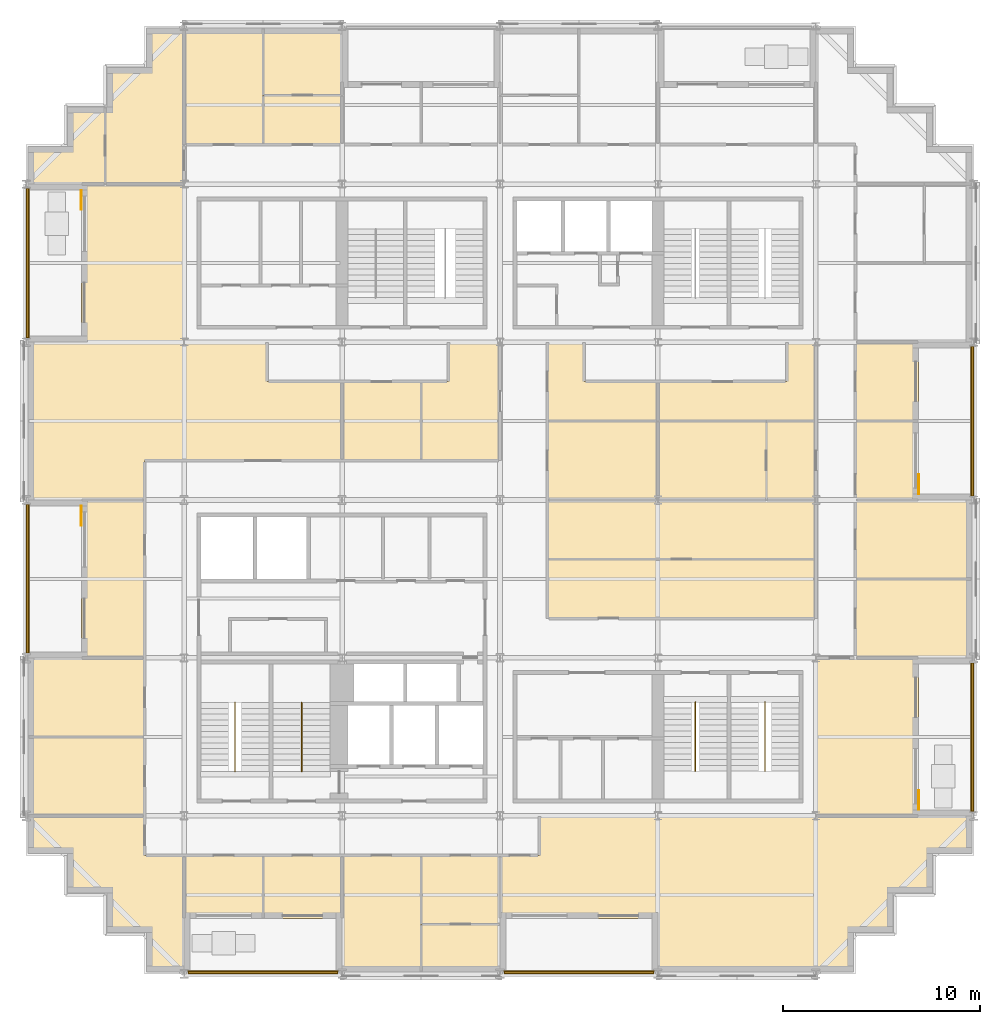
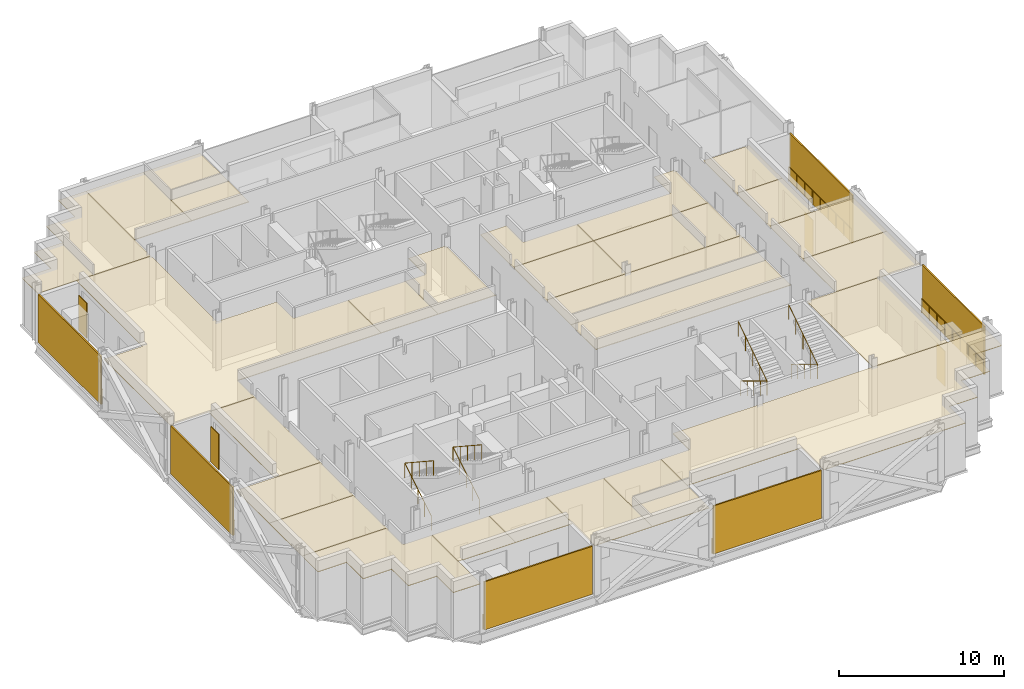
# One storey, part 13 of 15: 30 coverings, 10 railings, 10 shading devices.
"""IFC4 building model written with IfcOpenShell, lengths in metres."""

from ifc_helpers import new_model, si_unit, direction, frame, origin, origin_2d, place, context, subcontext, project, spatial, polyline, rectangle, circle, outline, extrude, material, layer, layer_set, type_object, element, save


model = new_model("IFC4")

# Units and contexts
model_context = context("Model", 3, precision=1e-05, world=origin(), true_north=direction((0.0, 1.0)))
body_context = subcontext(model_context, "Body", "Model", "MODEL_VIEW")
ifc_project = project(units=[si_unit("LENGTHUNIT", "METRE"), si_unit("AREAUNIT", "SQUARE_METRE"), si_unit("VOLUMEUNIT", "CUBIC_METRE"), si_unit("PLANEANGLEUNIT", "RADIAN"), si_unit("MASSUNIT", "GRAM", prefix="KILO")], contexts=[model_context])

# Site, building, storey
site_placement = place(None, origin())
site = spatial("IfcSite", under=ifc_project, at=site_placement, CompositionType="ELEMENT")
building_placement = place(site_placement, origin())
building = spatial("IfcBuilding", under=site, at=building_placement, Name="Immortelle Media Tower", CompositionType="ELEMENT")
storey_placement = place(building_placement, frame((0.0, 0.0, 65.60009765625)))
storey = spatial("IfcBuildingStorey", under=building, at=storey_placement, Name="L11", CompositionType="ELEMENT", Elevation=65.60009765625)

# Railings
ifc_material_1 = material(Name="Powder-coated aluminium fretwork panel, laminated glass backing", Category="aluminium")
railing_type_1 = type_object("IfcRailingType", Name="Fretwork balustrade 1100", PredefinedType="BALUSTRADE", material=ifc_material_1)
railing_1_placement = place(storey_placement, frame((0.139892578125, 39.800537109375, 0.0)))
element("IfcRailing", 1, at=railing_1_placement, inside=storey, type_object=railing_type_1, Name="Fretwork balustrade L11 W0", PredefinedType="BALUSTRADE", context=body_context, shape_type="SweptSolid", body=[
    extrude(circle(Radius=0.02490234375, at=origin_2d()), frame((0.0, 0.0, 1.0751953125), z_axis=(0.0, -1.0, 0.0), x_axis=(1.0, 0.0, 0.0)), (0.0, 0.0, 1.0), 7.58349609375),
    extrude(circle(Radius=0.02001953125, at=origin_2d()), origin(), (0.0, 0.0, 1.0), 1.050048828125),
    extrude(circle(Radius=0.02001953125, at=origin_2d()), frame((0.0, -0.947998046875, 0.0)), (0.0, 0.0, 1.0), 1.050048828125),
    extrude(circle(Radius=0.02001953125, at=origin_2d()), frame((0.0, -1.89599609375, 0.0)), (0.0, 0.0, 1.0), 1.050048828125),
    extrude(circle(Radius=0.02001953125, at=origin_2d()), frame((0.0, -2.84375, 0.0)), (0.0, 0.0, 1.0), 1.050048828125),
    extrude(circle(Radius=0.02001953125, at=origin_2d()), frame((0.0, -3.791748046875, 0.0)), (0.0, 0.0, 1.0), 1.050048828125),
    extrude(circle(Radius=0.02001953125, at=origin_2d()), frame((0.0, -4.73974609375, 0.0)), (0.0, 0.0, 1.0), 1.050048828125),
    extrude(circle(Radius=0.02001953125, at=origin_2d()), frame((0.0, -5.6875, 0.0)), (0.0, 0.0, 1.0), 1.050048828125),
    extrude(circle(Radius=0.02001953125, at=origin_2d()), frame((0.0, -6.635498046875, 0.0)), (0.0, 0.0, 1.0), 1.050048828125),
    extrude(circle(Radius=0.02001953125, at=origin_2d()), frame((0.0, -7.58349609375, 0.0)), (0.0, 0.0, 1.0), 1.050048828125),
])
railing_2_placement = place(storey_placement, frame((0.139892578125, 23.782958984375, 0.0)))
element("IfcRailing", 2, at=railing_2_placement, inside=storey, type_object=railing_type_1, Name="Fretwork balustrade L11 W2", PredefinedType="BALUSTRADE", context=body_context, shape_type="SweptSolid", body=[
    extrude(circle(Radius=0.02490234375, at=origin_2d()), frame((0.0, 0.0, 1.0751953125), z_axis=(0.0, -1.0, 0.0), x_axis=(1.0, 0.0, 0.0)), (0.0, 0.0, 1.0), 7.533935546875),
    extrude(circle(Radius=0.02001953125, at=origin_2d()), origin(), (0.0, 0.0, 1.0), 1.050048828125),
    extrude(circle(Radius=0.02001953125, at=origin_2d()), frame((0.0, -0.941650390625, 0.0)), (0.0, 0.0, 1.0), 1.050048828125),
    extrude(circle(Radius=0.02001953125, at=origin_2d()), frame((0.0, -1.883544921875, 0.0)), (0.0, 0.0, 1.0), 1.050048828125),
    extrude(circle(Radius=0.02001953125, at=origin_2d()), frame((0.0, -2.8251953125, 0.0)), (0.0, 0.0, 1.0), 1.050048828125),
    extrude(circle(Radius=0.02001953125, at=origin_2d()), frame((0.0, -3.76708984375, 0.0)), (0.0, 0.0, 1.0), 1.050048828125),
    extrude(circle(Radius=0.02001953125, at=origin_2d()), frame((0.0, -4.708740234375, 0.0)), (0.0, 0.0, 1.0), 1.050048828125),
    extrude(circle(Radius=0.02001953125, at=origin_2d()), frame((0.0, -5.650390625, 0.0)), (0.0, 0.0, 1.0), 1.050048828125),
    extrude(circle(Radius=0.02001953125, at=origin_2d()), frame((0.0, -6.59228515625, 0.0)), (0.0, 0.0, 1.0), 1.050048828125),
    extrude(circle(Radius=0.02001953125, at=origin_2d()), frame((0.0, -7.533935546875, 0.0)), (0.0, 0.0, 1.0), 1.050048828125),
])
railing_3_placement = place(storey_placement, frame((8.20947265625, 0.139892578125, 0.0)))
element("IfcRailing", 3, at=railing_3_placement, inside=storey, type_object=railing_type_1, Name="Fretwork balustrade L11 S0", PredefinedType="BALUSTRADE", context=body_context, shape_type="SweptSolid", body=[
    extrude(circle(Radius=0.02490234375, at=origin_2d()), frame((0.0, 0.0, 1.0751953125), z_axis=(1.0, 0.0, 0.0), x_axis=(0.0, 1.0, 0.0)), (0.0, 0.0, 1.0), 7.574462890625),
    extrude(circle(Radius=0.02001953125, at=origin_2d()), origin(), (0.0, 0.0, 1.0), 1.050048828125),
    extrude(circle(Radius=0.02001953125, at=origin_2d()), frame((0.94677734375, 0.0, 0.0)), (0.0, 0.0, 1.0), 1.050048828125),
    extrude(circle(Radius=0.02001953125, at=origin_2d()), frame((1.8935546875, 0.0, 0.0)), (0.0, 0.0, 1.0), 1.050048828125),
    extrude(circle(Radius=0.02001953125, at=origin_2d()), frame((2.84033203125, 0.0, 0.0)), (0.0, 0.0, 1.0), 1.050048828125),
    extrude(circle(Radius=0.02001953125, at=origin_2d()), frame((3.787109375, 0.0, 0.0)), (0.0, 0.0, 1.0), 1.050048828125),
    extrude(circle(Radius=0.02001953125, at=origin_2d()), frame((4.734130859375, 0.0, 0.0)), (0.0, 0.0, 1.0), 1.050048828125),
    extrude(circle(Radius=0.02001953125, at=origin_2d()), frame((5.680908203125, 0.0, 0.0)), (0.0, 0.0, 1.0), 1.050048828125),
    extrude(circle(Radius=0.02001953125, at=origin_2d()), frame((6.627685546875, 0.0, 0.0)), (0.0, 0.0, 1.0), 1.050048828125),
    extrude(circle(Radius=0.02001953125, at=origin_2d()), frame((7.574462890625, 0.0, 0.0)), (0.0, 0.0, 1.0), 1.050048828125),
])
railing_4_placement = place(storey_placement, frame((24.216064453125, 0.139892578125, 0.0)))
element("IfcRailing", 4, at=railing_4_placement, inside=storey, type_object=railing_type_1, Name="Fretwork balustrade L11 S2", PredefinedType="BALUSTRADE", context=body_context, shape_type="SweptSolid", body=[
    extrude(circle(Radius=0.02490234375, at=origin_2d()), frame((0.0, 0.0, 1.0751953125), z_axis=(1.0, 0.0, 0.0), x_axis=(0.0, 1.0, 0.0)), (0.0, 0.0, 1.0), 7.56787109375),
    extrude(circle(Radius=0.02001953125, at=origin_2d()), origin(), (0.0, 0.0, 1.0), 1.050048828125),
    extrude(circle(Radius=0.02001953125, at=origin_2d()), frame((0.946044921875, 0.0, 0.0)), (0.0, 0.0, 1.0), 1.050048828125),
    extrude(circle(Radius=0.02001953125, at=origin_2d()), frame((1.89208984375, 0.0, 0.0)), (0.0, 0.0, 1.0), 1.050048828125),
    extrude(circle(Radius=0.02001953125, at=origin_2d()), frame((2.837890625, 0.0, 0.0)), (0.0, 0.0, 1.0), 1.050048828125),
    extrude(circle(Radius=0.02001953125, at=origin_2d()), frame((3.783935546875, 0.0, 0.0)), (0.0, 0.0, 1.0), 1.050048828125),
    extrude(circle(Radius=0.02001953125, at=origin_2d()), frame((4.72998046875, 0.0, 0.0)), (0.0, 0.0, 1.0), 1.050048828125),
    extrude(circle(Radius=0.02001953125, at=origin_2d()), frame((5.67578125, 0.0, 0.0)), (0.0, 0.0, 1.0), 1.050048828125),
    extrude(circle(Radius=0.02001953125, at=origin_2d()), frame((6.621826171875, 0.0, 0.0)), (0.0, 0.0, 1.0), 1.050048828125),
    extrude(circle(Radius=0.02001953125, at=origin_2d()), frame((7.56787109375, 0.0, 0.0)), (0.0, 0.0, 1.0), 1.050048828125),
])
railing_5_placement = place(storey_placement, frame((47.860107421875, 8.2275390625, 0.0)))
element("IfcRailing", 5, at=railing_5_placement, inside=storey, type_object=railing_type_1, Name="Fretwork balustrade L11 E0", PredefinedType="BALUSTRADE", context=body_context, shape_type="SweptSolid", body=[
    extrude(circle(Radius=0.02490234375, at=origin_2d()), frame((0.0, 0.0, 1.0751953125), z_axis=(0.0, 1.0, 0.0), x_axis=(-1.0, 0.0, 0.0)), (0.0, 0.0, 1.0), 7.5234375),
    extrude(circle(Radius=0.02001953125, at=origin_2d()), origin(), (0.0, 0.0, 1.0), 1.050048828125),
    extrude(circle(Radius=0.02001953125, at=origin_2d()), frame((0.0, 0.9404296875, 0.0)), (0.0, 0.0, 1.0), 1.050048828125),
    extrude(circle(Radius=0.02001953125, at=origin_2d()), frame((0.0, 1.880859375, 0.0)), (0.0, 0.0, 1.0), 1.050048828125),
    extrude(circle(Radius=0.02001953125, at=origin_2d()), frame((0.0, 2.8212890625, 0.0)), (0.0, 0.0, 1.0), 1.050048828125),
    extrude(circle(Radius=0.02001953125, at=origin_2d()), frame((0.0, 3.76171875, 0.0)), (0.0, 0.0, 1.0), 1.050048828125),
    extrude(circle(Radius=0.02001953125, at=origin_2d()), frame((0.0, 4.7021484375, 0.0)), (0.0, 0.0, 1.0), 1.050048828125),
    extrude(circle(Radius=0.02001953125, at=origin_2d()), frame((0.0, 5.642578125, 0.0)), (0.0, 0.0, 1.0), 1.050048828125),
    extrude(circle(Radius=0.02001953125, at=origin_2d()), frame((0.0, 6.5830078125, 0.0)), (0.0, 0.0, 1.0), 1.050048828125),
    extrude(circle(Radius=0.02001953125, at=origin_2d()), frame((0.0, 7.5234375, 0.0)), (0.0, 0.0, 1.0), 1.050048828125),
])
railing_6_placement = place(storey_placement, frame((47.860107421875, 24.199462890625, 0.0)))
element("IfcRailing", 6, at=railing_6_placement, inside=storey, type_object=railing_type_1, Name="Fretwork balustrade L11 E2", PredefinedType="BALUSTRADE", context=body_context, shape_type="SweptSolid", body=[
    extrude(circle(Radius=0.02490234375, at=origin_2d()), frame((0.0, 0.0, 1.0751953125), z_axis=(0.0, 1.0, 0.0), x_axis=(-1.0, 0.0, 0.0)), (0.0, 0.0, 1.0), 7.60107421875),
    extrude(circle(Radius=0.02001953125, at=origin_2d()), origin(), (0.0, 0.0, 1.0), 1.050048828125),
    extrude(circle(Radius=0.02001953125, at=origin_2d()), frame((0.0, 0.9501953125, 0.0)), (0.0, 0.0, 1.0), 1.050048828125),
    extrude(circle(Radius=0.02001953125, at=origin_2d()), frame((0.0, 1.900390625, 0.0)), (0.0, 0.0, 1.0), 1.050048828125),
    extrude(circle(Radius=0.02001953125, at=origin_2d()), frame((0.0, 2.850341796875, 0.0)), (0.0, 0.0, 1.0), 1.050048828125),
    extrude(circle(Radius=0.02001953125, at=origin_2d()), frame((0.0, 3.800537109375, 0.0)), (0.0, 0.0, 1.0), 1.050048828125),
    extrude(circle(Radius=0.02001953125, at=origin_2d()), frame((0.0, 4.750732421875, 0.0)), (0.0, 0.0, 1.0), 1.050048828125),
    extrude(circle(Radius=0.02001953125, at=origin_2d()), frame((0.0, 5.70068359375, 0.0)), (0.0, 0.0, 1.0), 1.050048828125),
    extrude(circle(Radius=0.02001953125, at=origin_2d()), frame((0.0, 6.65087890625, 0.0)), (0.0, 0.0, 1.0), 1.050048828125),
    extrude(circle(Radius=0.02001953125, at=origin_2d()), frame((0.0, 7.60107421875, 0.0)), (0.0, 0.0, 1.0), 1.050048828125),
])

# Shading devices
ifc_material_2 = material(Name="Pale aluminium louvre blades", Category="aluminium")
ifc_layer_1 = layer(ifc_material_2, 0.10009765625)
ifc_layer_set_1 = layer_set([ifc_layer_1], Name="Pale aluminium louvre blades")
shading_device_type_1 = type_object("IfcShadingDeviceType", Name="Jalousie screen 100", PredefinedType="JALOUSIE", material=ifc_layer_set_1)
shading_device_1_placement = place(storey_placement, frame((0.050048828125, 36.0087890625, 0.0), z_axis=(0.0, 0.0, 1.0), x_axis=(0.0, -1.0, 0.0)))
element("IfcShadingDevice", 7, at=shading_device_1_placement, inside=storey, type_object=shading_device_type_1, Name="Jalousie screen L11 W0", PredefinedType="JALOUSIE", context=body_context, shape_type="SweptSolid", body=[
    extrude(rectangle(XDim=7.58349609375, YDim=0.10009765625, at=origin_2d()), origin(), (0.0, 0.0, 1.0), 3.556884765625),
])
shading_device_2_placement = place(storey_placement, frame((0.050048828125, 20.01611328125, 0.0), z_axis=(0.0, 0.0, 1.0), x_axis=(0.0, -1.0, 0.0)))
element("IfcShadingDevice", 8, at=shading_device_2_placement, inside=storey, type_object=shading_device_type_1, Name="Jalousie screen L11 W2", PredefinedType="JALOUSIE", context=body_context, shape_type="SweptSolid", body=[
    extrude(rectangle(XDim=7.533935546875, YDim=0.10009765625, at=origin_2d()), origin(), (0.0, 0.0, 1.0), 3.556884765625),
])
shading_device_3_placement = place(storey_placement, frame((11.996826171875, 0.050048828125, 0.0), z_axis=(0.0, 0.0, 1.0), x_axis=(1.0, 0.0, 0.0)))
element("IfcShadingDevice", 9, at=shading_device_3_placement, inside=storey, type_object=shading_device_type_1, Name="Jalousie screen L11 S0", PredefinedType="JALOUSIE", context=body_context, shape_type="SweptSolid", body=[
    extrude(rectangle(XDim=7.574462890625, YDim=0.10009765625, at=origin_2d()), origin(), (0.0, 0.0, 1.0), 3.556884765625),
])
shading_device_4_placement = place(storey_placement, frame((28.0, 0.050048828125, 0.0), z_axis=(0.0, 0.0, 1.0), x_axis=(1.0, 0.0, 0.0)))
element("IfcShadingDevice", 10, at=shading_device_4_placement, inside=storey, type_object=shading_device_type_1, Name="Jalousie screen L11 S2", PredefinedType="JALOUSIE", context=body_context, shape_type="SweptSolid", body=[
    extrude(rectangle(XDim=7.568115234375, YDim=0.10009765625, at=origin_2d()), origin(), (0.0, 0.0, 1.0), 3.556884765625),
])
shading_device_5_placement = place(storey_placement, frame((47.949951171875, 11.9892578125, 0.0), z_axis=(0.0, 0.0, 1.0), x_axis=(0.0, 1.0, 0.0)))
element("IfcShadingDevice", 11, at=shading_device_5_placement, inside=storey, type_object=shading_device_type_1, Name="Jalousie screen L11 E0", PredefinedType="JALOUSIE", context=body_context, shape_type="SweptSolid", body=[
    extrude(rectangle(XDim=7.5234375, YDim=0.10009765625, at=origin_2d()), origin(), (0.0, 0.0, 1.0), 3.556884765625),
])
shading_device_6_placement = place(storey_placement, frame((47.949951171875, 28.0, 0.0), z_axis=(0.0, 0.0, 1.0), x_axis=(0.0, 1.0, 0.0)))
element("IfcShadingDevice", 12, at=shading_device_6_placement, inside=storey, type_object=shading_device_type_1, Name="Jalousie screen L11 E2", PredefinedType="JALOUSIE", context=body_context, shape_type="SweptSolid", body=[
    extrude(rectangle(XDim=7.60107421875, YDim=0.10009765625, at=origin_2d()), origin(), (0.0, 0.0, 1.0), 3.556884765625),
])
ifc_material_3 = material(Name="Pale aluminium louvre blades in a folding frame", Category="aluminium")
ifc_layer_2 = layer(ifc_material_3, 0.050048828125)
ifc_layer_set_2 = layer_set([ifc_layer_2], Name="Pale aluminium louvre blades in a folding frame")
shading_device_type_2 = type_object("IfcShadingDeviceType", Name="Louvred loggia shutter", PredefinedType="SHUTTER", material=ifc_layer_set_2)
for number, where, z_axis, x_axis, name in (
    (13, (2.77490234375, 39.199951171875, -0.000244140625), (0.0, 0.0, 1.0), (0.0, -1.0, 0.0), "Loggia shutter L11 W0"),
    (14, (2.77490234375, 23.199951171875, -0.000244140625), (0.0, 0.0, 1.0), (0.0, -1.0, 0.0), "Loggia shutter L11 W2"),
    (15, (45.22509765625, 8.800048828125, -0.000244140625), (0.0, 0.0, 1.0), (0.0, 1.0, 0.0), "Loggia shutter L11 E0"),
    (16, (45.22509765625, 24.800048828125, -0.000244140625), (0.0, 0.0, 1.0), (0.0, 1.0, 0.0), "Loggia shutter L11 E2"),
):
    element("IfcShadingDevice", number, at=place(storey_placement, frame(where, z_axis=z_axis, x_axis=x_axis)), inside=storey, type_object=shading_device_type_2, Name=name, PredefinedType="SHUTTER", context=body_context, shape_type="SweptSolid", body=[
        extrude(rectangle(XDim=1.0, YDim=0.050048828125, at=origin_2d()), origin(), (0.0, 0.0, 1.0), 2.60009765625),
    ])

# Railings
ifc_material_4 = material(Name="Stainless steel AISI 316", Category="steel")
railing_type_2 = type_object("IfcRailingType", Name="Stair guard 1100", PredefinedType="GUARDRAIL", material=ifc_material_4)
for number, where, name in (
    (17, (10.574951171875, 10.5400390625, 0.17578125), "Stair guard SW1"),
    (18, (13.949951171875, 10.5400390625, 0.17578125), "Stair guard SW2"),
):
    element("IfcRailing", number, at=place(storey_placement, frame(where)), inside=storey, type_object=railing_type_2, Name=name, PredefinedType="GUARDRAIL", context=body_context, shape_type="SweptSolid", body=[
        extrude(circle(Radius=0.02392578125, at=origin_2d()), frame((0.0, 0.0, 1.076171875), z_axis=(0.0, 0.854872504309, 0.518838126371), x_axis=(-1.0, 0.0, 0.0)), (0.0, 0.0, 1.0), 3.7314453125),
        extrude(circle(Radius=0.02392578125, at=origin_2d()), frame((0.0, 3.18994140625, 3.01220703125), z_axis=(0.0, -0.835568629342, 0.549386080693), x_axis=(1.0, 0.0, 0.0)), (0.0, 0.0, 1.0), 4.164794921875),
        extrude(circle(Radius=0.02099609375, at=origin_2d()), origin(), (0.0, 0.0, 1.0), 1.052001953125),
        extrude(circle(Radius=0.02099609375, at=origin_2d()), frame((0.0, 0.79736328125, 0.48388671875)), (0.0, 0.0, 1.0), 1.052001953125),
        extrude(circle(Radius=0.02099609375, at=origin_2d()), frame((0.0, 1.594970703125, 0.968017578125)), (0.0, 0.0, 1.0), 1.052001953125),
        extrude(circle(Radius=0.02099609375, at=origin_2d()), frame((0.0, 2.392578125, 1.4521484375)), (0.0, 0.0, 1.0), 1.052001953125),
        extrude(circle(Radius=0.02099609375, at=origin_2d()), frame((0.0, 3.18994140625, 1.93603515625)), (0.0, 0.0, 1.0), 1.052001953125),
        extrude(circle(Radius=0.02099609375, at=origin_2d()), frame((0.0, 2.31982421875, 2.508056640625)), (0.0, 0.0, 1.0), 1.052001953125),
        extrude(circle(Radius=0.02099609375, at=origin_2d()), frame((0.0, 1.449951171875, 3.080078125)), (0.0, 0.0, 1.0), 1.052001953125),
        extrude(circle(Radius=0.02099609375, at=origin_2d()), frame((0.0, 0.580078125, 3.652099609375)), (0.0, 0.0, 1.0), 1.052001953125),
        extrude(circle(Radius=0.02099609375, at=origin_2d()), frame((0.0, -0.2900390625, 4.22412109375)), (0.0, 0.0, 1.0), 1.052001953125),
    ])
for number, where, name in (
    (19, (33.89990234375, 13.4599609375, 0.17578125), "Stair guard SE1"),
    (20, (37.425048828125, 13.4599609375, 0.17578125), "Stair guard SE2"),
):
    element("IfcRailing", number, at=place(storey_placement, frame(where)), inside=storey, type_object=railing_type_2, Name=name, PredefinedType="GUARDRAIL", context=body_context, shape_type="SweptSolid", body=[
        extrude(circle(Radius=0.02392578125, at=origin_2d()), frame((0.0, 0.0, 1.076171875), z_axis=(0.0, -0.854872504309, 0.518838126371), x_axis=(1.0, 0.0, 0.0)), (0.0, 0.0, 1.0), 3.7314453125),
        extrude(circle(Radius=0.02392578125, at=origin_2d()), frame((0.0, -3.18994140625, 3.01220703125), z_axis=(0.0, 0.835568629342, 0.549386080693), x_axis=(-1.0, 0.0, 0.0)), (0.0, 0.0, 1.0), 4.164794921875),
        extrude(circle(Radius=0.02099609375, at=origin_2d()), origin(), (0.0, 0.0, 1.0), 1.052001953125),
        extrude(circle(Radius=0.02099609375, at=origin_2d()), frame((0.0, -0.79736328125, 0.48388671875)), (0.0, 0.0, 1.0), 1.052001953125),
        extrude(circle(Radius=0.02099609375, at=origin_2d()), frame((0.0, -1.594970703125, 0.968017578125)), (0.0, 0.0, 1.0), 1.052001953125),
        extrude(circle(Radius=0.02099609375, at=origin_2d()), frame((0.0, -2.392578125, 1.4521484375)), (0.0, 0.0, 1.0), 1.052001953125),
        extrude(circle(Radius=0.02099609375, at=origin_2d()), frame((0.0, -3.18994140625, 1.93603515625)), (0.0, 0.0, 1.0), 1.052001953125),
        extrude(circle(Radius=0.02099609375, at=origin_2d()), frame((0.0, -2.31982421875, 2.508056640625)), (0.0, 0.0, 1.0), 1.052001953125),
        extrude(circle(Radius=0.02099609375, at=origin_2d()), frame((0.0, -1.449951171875, 3.080078125)), (0.0, 0.0, 1.0), 1.052001953125),
        extrude(circle(Radius=0.02099609375, at=origin_2d()), frame((0.0, -0.580078125, 3.652099609375)), (0.0, 0.0, 1.0), 1.052001953125),
        extrude(circle(Radius=0.02099609375, at=origin_2d()), frame((0.0, 0.2900390625, 4.22412109375)), (0.0, 0.0, 1.0), 1.052001953125),
    ])

# Coverings
ifc_material_5 = material(Name="Mineral fibre tile ceiling")
ifc_layer_3 = layer(ifc_material_5, 0.050048828125)
ifc_layer_set_3 = layer_set([ifc_layer_3], Name="Mineral fibre tile ceiling")
covering_type = type_object("IfcCoveringType", Name="Suspended ceiling 50", PredefinedType="CEILING", material=ifc_layer_set_3)
covering_1_placement = place(storey_placement, frame((0.0, 0.0, 3.419921875)))
element("IfcCovering", 21, at=covering_1_placement, inside=storey, type_object=covering_type, Name="Ceiling L11-001", PredefinedType="CEILING", context=body_context, shape_type="SweptSolid", body=[
    extrude(outline(polyline([(16.0, 2.800048828125), (16.0, 6.0), (20.0, 6.0), (20.0, 0.10009765625), (16.0, 0.10009765625), (16.0, 2.800048828125)])), origin(), (0.0, 0.0, 1.0), 0.050048828125),
])
covering_2_placement = place(storey_placement, frame((0.0, 0.0, 3.419921875)))
element("IfcCovering", 22, at=covering_2_placement, inside=storey, type_object=covering_type, Name="Ceiling L11-002", PredefinedType="CEILING", context=body_context, shape_type="SweptSolid", body=[
    extrude(outline(polyline([(24.0, 2.800048828125), (24.0, 2.5), (20.0, 2.5), (20.0, 6.0), (24.0, 6.0), (24.0, 2.800048828125)])), origin(), (0.0, 0.0, 1.0), 0.050048828125),
])
covering_3_placement = place(storey_placement, frame((0.0, 0.0, 3.419921875)))
element("IfcCovering", 23, at=covering_3_placement, inside=storey, type_object=covering_type, Name="Ceiling L11-003", PredefinedType="CEILING", context=body_context, shape_type="SweptSolid", body=[
    extrude(outline(polyline([(24.0, 0.10009765625), (20.0, 0.10009765625), (20.0, 2.5), (24.0, 2.5), (24.0, 0.10009765625)])), origin(), (0.0, 0.0, 1.0), 0.050048828125),
])
covering_4_placement = place(storey_placement, frame((0.0, 0.0, 3.419921875)))
element("IfcCovering", 24, at=covering_4_placement, inside=storey, type_object=covering_type, Name="Ceiling L11-004", PredefinedType="CEILING", context=body_context, shape_type="SweptSolid", body=[
    extrude(outline(polyline([(8.0, 6.0), (12.0, 6.0), (12.0, 2.800048828125), (8.0, 2.800048828125), (8.0, 6.0)])), origin(), (0.0, 0.0, 1.0), 0.050048828125),
])
covering_5_placement = place(storey_placement, frame((0.0, 0.0, 3.419921875)))
element("IfcCovering", 25, at=covering_5_placement, inside=storey, type_object=covering_type, Name="Ceiling L11-005", PredefinedType="CEILING", context=body_context, shape_type="SweptSolid", body=[
    extrude(outline(polyline([(16.0, 6.0), (16.0, 2.800048828125), (12.0, 2.800048828125), (12.0, 6.0), (16.0, 6.0)])), origin(), (0.0, 0.0, 1.0), 0.050048828125),
])
covering_6_placement = place(storey_placement, frame((0.0, 0.0, 3.419921875)))
element("IfcCovering", 26, at=covering_6_placement, inside=storey, type_object=covering_type, Name="Ceiling L11-006", PredefinedType="CEILING", context=body_context, shape_type="SweptSolid", body=[
    extrude(outline(polyline([(24.0, 2.800048828125), (24.0, 6.0), (26.0, 6.0), (26.0, 8.0), (32.0, 8.0), (40.0, 8.0), (45.199951171875, 8.0), (47.89990234375, 8.0), (47.89990234375, 6.10009765625), (45.89990234375, 6.10009765625), (45.89990234375, 4.10009765625), (43.89990234375, 4.10009765625), (43.89990234375, 2.10009765625), (41.89990234375, 2.10009765625), (41.89990234375, 0.10009765625), (40.0, 0.10009765625), (32.0, 0.10009765625), (32.0, 2.800048828125), (24.0, 2.800048828125)])), origin(), (0.0, 0.0, 1.0), 0.050048828125),
])
covering_7_placement = place(storey_placement, frame((0.0, 0.0, 3.419921875)))
element("IfcCovering", 27, at=covering_7_placement, inside=storey, type_object=covering_type, Name="Ceiling L11-007", PredefinedType="CEILING", context=body_context, shape_type="SweptSolid", body=[
    extrude(outline(polyline([(6.10009765625, 0.10009765625), (6.10009765625, 2.10009765625), (4.10009765625, 2.10009765625), (4.10009765625, 4.10009765625), (2.10009765625, 4.10009765625), (2.10009765625, 6.10009765625), (0.10009765625, 6.10009765625), (0.10009765625, 8.0), (6.0, 8.0), (6.0, 6.0), (8.0, 6.0), (8.0, 2.800048828125), (8.0, 0.10009765625), (6.10009765625, 0.10009765625)])), origin(), (0.0, 0.0, 1.0), 0.050048828125),
])
covering_8_placement = place(storey_placement, frame((0.0, 0.0, 3.419921875)))
element("IfcCovering", 28, at=covering_8_placement, inside=storey, type_object=covering_type, Name="Ceiling L11-008", PredefinedType="CEILING", context=body_context, shape_type="SweptSolid", body=[
    extrude(outline(polyline([(0.10009765625, 8.0), (0.10009765625, 12.0), (6.0, 12.0), (6.0, 8.0), (0.10009765625, 8.0)])), origin(), (0.0, 0.0, 1.0), 0.050048828125),
])
covering_9_placement = place(storey_placement, frame((0.0, 0.0, 3.419921875)))
element("IfcCovering", 29, at=covering_9_placement, inside=storey, type_object=covering_type, Name="Ceiling L11-009", PredefinedType="CEILING", context=body_context, shape_type="SweptSolid", body=[
    extrude(outline(polyline([(0.10009765625, 16.0), (2.800048828125, 16.0), (6.0, 16.0), (6.0, 12.0), (0.10009765625, 12.0), (0.10009765625, 16.0)])), origin(), (0.0, 0.0, 1.0), 0.050048828125),
])
covering_10_placement = place(storey_placement, frame((0.0, 0.0, 3.419921875)))
element("IfcCovering", 30, at=covering_10_placement, inside=storey, type_object=covering_type, Name="Ceiling L11-010", PredefinedType="CEILING", context=body_context, shape_type="SweptSolid", body=[
    extrude(outline(polyline([(45.199951171875, 8.0), (40.0, 8.0), (40.0, 16.0), (42.0, 16.0), (45.199951171875, 16.0), (45.199951171875, 8.0)])), origin(), (0.0, 0.0, 1.0), 0.050048828125),
])
covering_11_placement = place(storey_placement, frame((0.0, 0.0, 3.419921875)))
element("IfcCovering", 31, at=covering_11_placement, inside=storey, type_object=covering_type, Name="Ceiling L11-011", PredefinedType="CEILING", context=body_context, shape_type="SweptSolid", body=[
    extrude(outline(polyline([(6.0, 19.449951171875), (6.0, 16.0), (2.800048828125, 16.0), (2.800048828125, 24.0), (6.0, 24.0), (6.0, 19.449951171875)])), origin(), (0.0, 0.0, 1.0), 0.050048828125),
])
covering_12_placement = place(storey_placement, frame((0.0, 0.0, 3.419921875)))
element("IfcCovering", 32, at=covering_12_placement, inside=storey, type_object=covering_type, Name="Ceiling L11-012", PredefinedType="CEILING", context=body_context, shape_type="SweptSolid", body=[
    extrude(outline(polyline([(42.0, 16.0), (42.0, 20.0), (47.89990234375, 20.0), (47.89990234375, 16.0), (45.199951171875, 16.0), (42.0, 16.0)])), origin(), (0.0, 0.0, 1.0), 0.050048828125),
])
covering_13_placement = place(storey_placement, frame((0.0, 0.0, 3.419921875)))
element("IfcCovering", 33, at=covering_13_placement, inside=storey, type_object=covering_type, Name="Ceiling L11-013", PredefinedType="CEILING", context=body_context, shape_type="SweptSolid", body=[
    extrude(outline(polyline([(42.0, 24.0), (45.199951171875, 24.0), (47.89990234375, 24.0), (47.89990234375, 20.0), (42.0, 20.0), (42.0, 24.0)])), origin(), (0.0, 0.0, 1.0), 0.050048828125),
])
covering_14_placement = place(storey_placement, frame((0.0, 0.0, 3.419921875)))
element("IfcCovering", 34, at=covering_14_placement, inside=storey, type_object=covering_type, Name="Ceiling L11-014", PredefinedType="CEILING", context=body_context, shape_type="SweptSolid", body=[
    extrude(outline(polyline([(26.39990234375, 18.0), (26.39990234375, 21.0), (40.0, 21.0), (40.0, 18.0), (38.550048828125, 18.0), (36.0, 18.0), (32.0, 18.0), (27.0, 18.0), (26.39990234375, 18.0)])), origin(), (0.0, 0.0, 1.0), 0.050048828125),
])
covering_15_placement = place(storey_placement, frame((0.0, 0.0, 3.419921875)))
element("IfcCovering", 35, at=covering_15_placement, inside=storey, type_object=covering_type, Name="Ceiling L11-015", PredefinedType="CEILING", context=body_context, shape_type="SweptSolid", body=[
    extrude(outline(polyline([(26.39990234375, 24.0), (32.0, 24.0), (40.0, 24.0), (40.0, 21.0), (26.39990234375, 21.0), (26.39990234375, 24.0)])), origin(), (0.0, 0.0, 1.0), 0.050048828125),
])
covering_16_placement = place(storey_placement, frame((0.0, 0.0, 3.419921875)))
element("IfcCovering", 36, at=covering_16_placement, inside=storey, type_object=covering_type, Name="Ceiling L11-016", PredefinedType="CEILING", context=body_context, shape_type="SweptSolid", body=[
    extrude(outline(polyline([(40.0, 28.0), (40.0, 24.0), (37.5, 24.0), (37.5, 28.0), (40.0, 28.0)])), origin(), (0.0, 0.0, 1.0), 0.050048828125),
])
covering_17_placement = place(storey_placement, frame((0.0, 0.0, 3.419921875)))
element("IfcCovering", 37, at=covering_17_placement, inside=storey, type_object=covering_type, Name="Ceiling L11-017", PredefinedType="CEILING", context=body_context, shape_type="SweptSolid", body=[
    extrude(outline(polyline([(37.5, 28.0), (37.5, 24.0), (32.0, 24.0), (32.0, 28.0), (37.5, 28.0)])), origin(), (0.0, 0.0, 1.0), 0.050048828125),
])
covering_18_placement = place(storey_placement, frame((0.0, 0.0, 3.419921875)))
element("IfcCovering", 38, at=covering_18_placement, inside=storey, type_object=covering_type, Name="Ceiling L11-018", PredefinedType="CEILING", context=body_context, shape_type="SweptSolid", body=[
    extrude(outline(polyline([(32.0, 30.0), (38.550048828125, 30.0), (38.550048828125, 32.0), (40.0, 32.0), (40.0, 28.0), (32.0, 28.0), (32.0, 30.0)])), origin(), (0.0, 0.0, 1.0), 0.050048828125),
])
covering_19_placement = place(storey_placement, frame((0.0, 0.0, 3.419921875)))
element("IfcCovering", 39, at=covering_19_placement, inside=storey, type_object=covering_type, Name="Ceiling L11-019", PredefinedType="CEILING", context=body_context, shape_type="SweptSolid", body=[
    extrude(outline(polyline([(26.39990234375, 28.0), (32.0, 28.0), (32.0, 24.0), (26.39990234375, 24.0), (26.39990234375, 28.0)])), origin(), (0.0, 0.0, 1.0), 0.050048828125),
])
covering_20_placement = place(storey_placement, frame((0.0, 0.0, 3.419921875)))
element("IfcCovering", 40, at=covering_20_placement, inside=storey, type_object=covering_type, Name="Ceiling L11-020", PredefinedType="CEILING", context=body_context, shape_type="SweptSolid", body=[
    extrude(outline(polyline([(26.39990234375, 32.0), (28.25, 32.0), (28.25, 30.0), (32.0, 30.0), (32.0, 28.0), (26.39990234375, 28.0), (26.39990234375, 32.0)])), origin(), (0.0, 0.0, 1.0), 0.050048828125),
])
covering_21_placement = place(storey_placement, frame((0.0, 0.0, 3.419921875)))
element("IfcCovering", 41, at=covering_21_placement, inside=storey, type_object=covering_type, Name="Ceiling L11-021", PredefinedType="CEILING", context=body_context, shape_type="SweptSolid", body=[
    extrude(outline(polyline([(42.0, 24.0), (42.0, 28.0), (45.199951171875, 28.0), (45.199951171875, 24.0), (42.0, 24.0)])), origin(), (0.0, 0.0, 1.0), 0.050048828125),
])
covering_22_placement = place(storey_placement, frame((0.0, 0.0, 3.419921875)))
element("IfcCovering", 42, at=covering_22_placement, inside=storey, type_object=covering_type, Name="Ceiling L11-022", PredefinedType="CEILING", context=body_context, shape_type="SweptSolid", body=[
    extrude(outline(polyline([(42.0, 32.0), (45.199951171875, 32.0), (45.199951171875, 28.0), (42.0, 28.0), (42.0, 32.0)])), origin(), (0.0, 0.0, 1.0), 0.050048828125),
])
covering_23_placement = place(storey_placement, frame((0.0, 0.0, 3.419921875)))
element("IfcCovering", 43, at=covering_23_placement, inside=storey, type_object=covering_type, Name="Ceiling L11-023", PredefinedType="CEILING", context=body_context, shape_type="SweptSolid", body=[
    extrude(outline(polyline([(16.0, 30.0), (20.0, 30.0), (20.0, 26.0), (16.0, 26.0), (16.0, 30.0)])), origin(), (0.0, 0.0, 1.0), 0.050048828125),
])
covering_24_placement = place(storey_placement, frame((0.0, 0.0, 3.419921875)))
element("IfcCovering", 44, at=covering_24_placement, inside=storey, type_object=covering_type, Name="Ceiling L11-024", PredefinedType="CEILING", context=body_context, shape_type="SweptSolid", body=[
    extrude(outline(polyline([(21.39990234375, 30.0), (21.39990234375, 32.0), (24.0, 32.0), (24.0, 26.0), (20.0, 26.0), (20.0, 30.0), (21.39990234375, 30.0)])), origin(), (0.0, 0.0, 1.0), 0.050048828125),
])
covering_25_placement = place(storey_placement, frame((0.0, 0.0, 3.419921875)))
element("IfcCovering", 45, at=covering_25_placement, inside=storey, type_object=covering_type, Name="Ceiling L11-025", PredefinedType="CEILING", context=body_context, shape_type="SweptSolid", body=[
    extrude(outline(polyline([(12.199951171875, 32.0), (12.199951171875, 30.0), (16.0, 30.0), (16.0, 26.0), (8.0, 26.0), (6.0, 26.0), (6.0, 24.0), (2.800048828125, 24.0), (0.10009765625, 24.0), (0.10009765625, 32.0), (2.800048828125, 32.0), (2.800048828125, 40.0), (8.0, 40.0), (8.0, 32.0), (12.199951171875, 32.0)])), origin(), (0.0, 0.0, 1.0), 0.050048828125),
])
covering_26_placement = place(storey_placement, frame((0.0, 0.0, 3.419921875)))
element("IfcCovering", 46, at=covering_26_placement, inside=storey, type_object=covering_type, Name="Ceiling L11-029", PredefinedType="CEILING", context=body_context, shape_type="SweptSolid", body=[
    extrude(outline(polyline([(4.10009765625, 43.89990234375), (4.10009765625, 44.0), (4.10009765625, 45.89990234375), (6.10009765625, 45.89990234375), (6.10009765625, 47.89990234375), (8.0, 47.89990234375), (8.0, 44.0), (8.0, 42.0), (8.0, 40.0), (4.0, 40.0), (4.0, 43.89990234375), (4.10009765625, 43.89990234375)])), origin(), (0.0, 0.0, 1.0), 0.050048828125),
])
covering_27_placement = place(storey_placement, frame((0.0, 0.0, 3.419921875)))
element("IfcCovering", 47, at=covering_27_placement, inside=storey, type_object=covering_type, Name="Ceiling L11-030", PredefinedType="CEILING", context=body_context, shape_type="SweptSolid", body=[
    extrude(outline(polyline([(2.10009765625, 41.89990234375), (2.10009765625, 43.89990234375), (4.0, 43.89990234375), (4.0, 40.0), (2.800048828125, 40.0), (0.10009765625, 40.0), (0.10009765625, 41.89990234375), (2.10009765625, 41.89990234375)])), origin(), (0.0, 0.0, 1.0), 0.050048828125),
])
covering_28_placement = place(storey_placement, frame((0.0, 0.0, 3.419921875)))
element("IfcCovering", 48, at=covering_28_placement, inside=storey, type_object=covering_type, Name="Ceiling L11-035", PredefinedType="CEILING", context=body_context, shape_type="SweptSolid", body=[
    extrude(outline(polyline([(8.0, 47.89990234375), (12.0, 47.89990234375), (12.0, 42.0), (8.0, 42.0), (8.0, 47.89990234375)])), origin(), (0.0, 0.0, 1.0), 0.050048828125),
])
covering_29_placement = place(storey_placement, frame((0.0, 0.0, 3.419921875)))
element("IfcCovering", 49, at=covering_29_placement, inside=storey, type_object=covering_type, Name="Ceiling L11-036", PredefinedType="CEILING", context=body_context, shape_type="SweptSolid", body=[
    extrude(outline(polyline([(16.0, 42.0), (12.0, 42.0), (12.0, 44.5), (16.0, 44.5), (16.0, 42.0)])), origin(), (0.0, 0.0, 1.0), 0.050048828125),
])
covering_30_placement = place(storey_placement, frame((0.0, 0.0, 3.419921875)))
element("IfcCovering", 50, at=covering_30_placement, inside=storey, type_object=covering_type, Name="Ceiling L11-037", PredefinedType="CEILING", context=body_context, shape_type="SweptSolid", body=[
    extrude(outline(polyline([(16.0, 45.199951171875), (16.0, 44.5), (12.0, 44.5), (12.0, 47.89990234375), (16.0, 47.89990234375), (16.0, 45.199951171875)])), origin(), (0.0, 0.0, 1.0), 0.050048828125),
])

save(model, "model.ifc")
